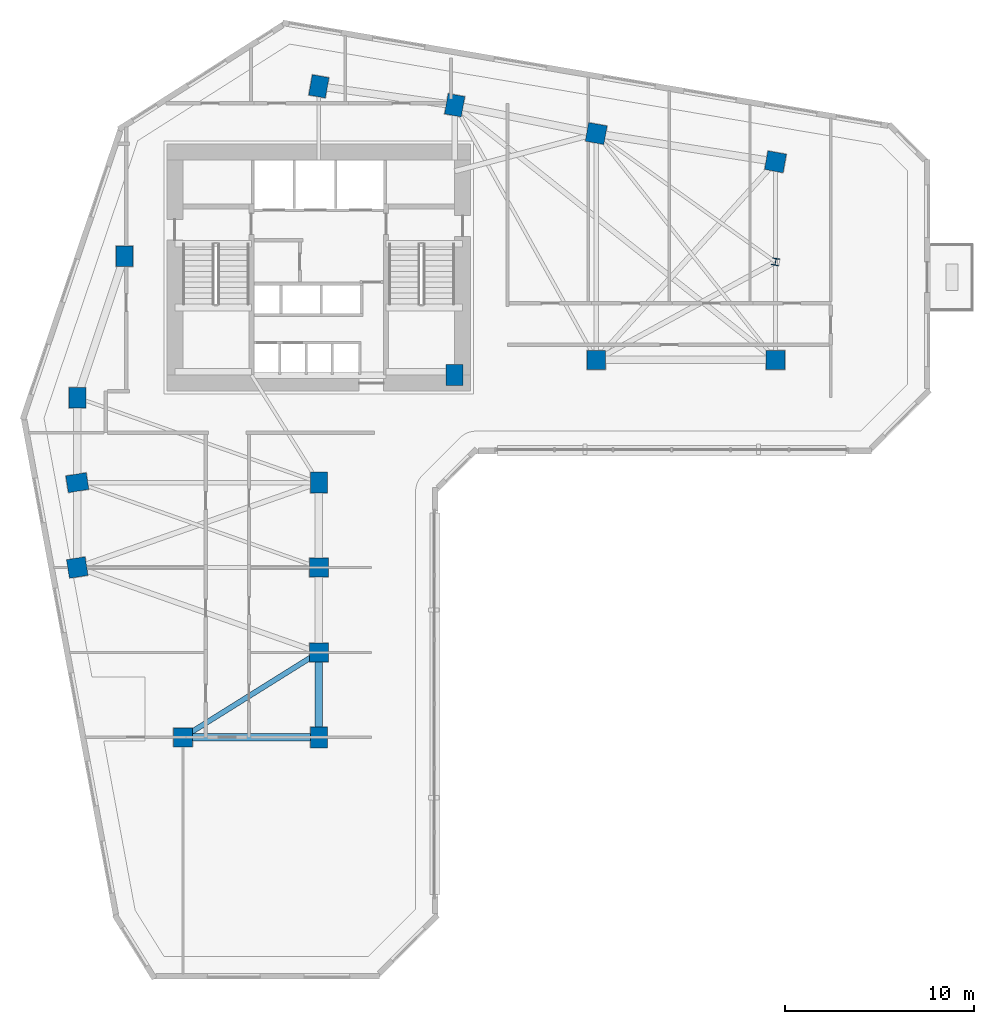
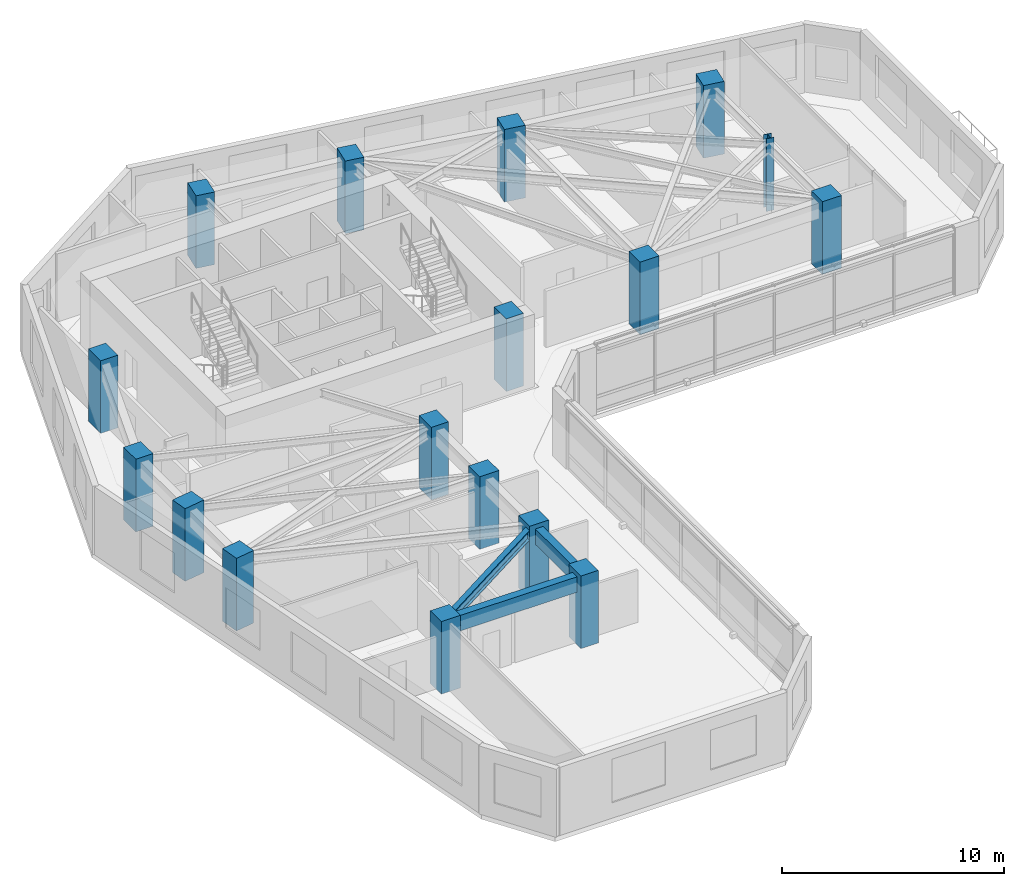
# One storey, part 1 of 11: 17 columns, 3 beams.
"""IFC4 building model written with IfcOpenShell, lengths in metres."""

from ifc_helpers import new_model, si_unit, direction, frame, origin, origin_2d, place, context, subcontext, project, spatial, rectangle, i_section, extrude, source, transform, mapped, material, material_profile, profile_set, type_object, element, save


model = new_model("IFC4")

# Units and contexts
model_context = context("Model", 3, precision=1e-05, world=origin(), true_north=direction((0.0, 1.0)))
body_context = subcontext(model_context, "Body", "Model", "MODEL_VIEW")
ifc_project = project(units=[si_unit("LENGTHUNIT", "METRE"), si_unit("AREAUNIT", "SQUARE_METRE"), si_unit("VOLUMEUNIT", "CUBIC_METRE"), si_unit("PLANEANGLEUNIT", "RADIAN"), si_unit("MASSUNIT", "GRAM", prefix="KILO")], contexts=[model_context])

# Site, building, storey
site_placement = place(None, origin())
site = spatial("IfcSite", under=ifc_project, at=site_placement, CompositionType="ELEMENT")
building_placement = place(site_placement, origin())
building = spatial("IfcBuilding", under=site, at=building_placement, Name="Calvemar Wedge Station Tower", CompositionType="ELEMENT")
storey_placement = place(building_placement, frame((0.0, 0.0, 75.0)))
storey = spatial("IfcBuildingStorey", under=building, at=storey_placement, Name="L18", CompositionType="ELEMENT", Elevation=75.0)

# Columns
ifc_material_1 = material(Name="Concrete C70", Category="concrete")
ifc_material_profile_1 = material_profile(ifc_material_1, rectangle(XDim=0.89990234375, YDim=1.10009765625, at=origin_2d()), Name="RC1100x900")
ifc_profile_set_1 = profile_set([ifc_material_profile_1], Name="Concrete C70")
column_type_1 = type_object("IfcColumnType", Name="COL-C3-1100x900", PredefinedType="COLUMN", material=ifc_profile_set_1)
shared_shape_1 = source(origin(), body_context, "Body", "SweptSolid", [
    extrude(rectangle(XDim=0.89990234375, YDim=1.10009765625, at=origin_2d()), origin(), (0.0, 0.0, 1.0), 4.0),
])
for number, where, z_axis, x_axis, name in (
    (1, (11.0, 33.0, 0.0), (0.0, 0.0, 1.0), (1.0, 0.0, 0.0), "Storey L18 Column T-NW1"),
    (2, (13.5, 40.5, 0.0), (0.0, 0.0, 1.0), (1.0, 0.0, 0.0), "Storey L18 Column T-NW2"),
    (3, (23.800048828125, 49.5, 0.0), (0.0, 0.0, 1.0), (0.984195607969, -0.17708474032, 0.0), "Storey L18 Column T-N1"),
    (4, (31.0, 48.5, 0.0), (0.0, 0.0, 1.0), (0.984195607969, -0.17708474032, 0.0), "Storey L18 Column T-N2"),
    (5, (31.0, 34.199951171875, 0.0), (0.0, 0.0, 1.0), (1.0, 0.0, 0.0), "Storey L18 Column T-NL1"),
    (6, (11.0, 28.5, 0.0), (0.0, 0.0, 1.0), (0.158158067254, -0.987413806751, 0.0), "Storey L18 Column T-SW1"),
    (7, (23.800048828125, 28.5, 0.0), (0.0, 0.0, 1.0), (1.0, 0.0, 0.0), "Storey L18 Column T-SE1"),
    (8, (23.800048828125, 15.0, 0.0), (0.0, 0.0, 1.0), (1.0, 0.0, 0.0), "Storey L18 Column T-SE4"),
):
    element("IfcColumn", number, at=place(storey_placement, frame(where, z_axis=z_axis, x_axis=x_axis)), inside=storey, type_object=column_type_1, Name=name, PredefinedType="COLUMN", context=body_context, shape_type="MappedRepresentation", body=[
        mapped(shared_shape_1, transform((0.0, 0.0, 0.0), scale=1.0)),
    ])
ifc_material_2 = material(Name="Concrete C60", Category="concrete")
ifc_material_profile_2 = material_profile(ifc_material_2, rectangle(XDim=1.0, YDim=1.0, at=origin_2d()), Name="RC1000x1000")
ifc_profile_set_2 = profile_set([ifc_material_profile_2], Name="Concrete C60")
column_type_2 = type_object("IfcColumnType", Name="COL-C4-1000", PredefinedType="COLUMN", material=ifc_profile_set_2)
shared_shape_2 = source(origin(), body_context, "Body", "SweptSolid", [
    extrude(rectangle(XDim=1.0, YDim=1.0, at=origin_2d()), origin(), (0.0, 0.0, 1.0), 4.0),
])
for number, where, z_axis, x_axis, name in (
    (9, (38.5, 47.0, 0.0), (0.0, 0.0, 1.0), (0.984195607969, -0.17708474032, 0.0), "Storey L18 Column T-NU3"),
    (10, (48.0, 45.5, 0.0), (0.0, 0.0, 1.0), (0.984195607969, -0.17708474032, 0.0), "Storey L18 Column T-NU4"),
    (11, (38.5, 35.0, 0.0), (0.0, 0.0, 1.0), (1.0, 0.0, 0.0), "Storey L18 Column T-NL2"),
    (12, (48.0, 35.0, 0.0), (0.0, 0.0, 1.0), (1.0, 0.0, 0.0), "Storey L18 Column T-NL3"),
    (13, (11.0, 24.0, 0.0), (0.0, 0.0, 1.0), (0.158158067254, -0.987413806751, 0.0), "Storey L18 Column T-SW2"),
    (14, (23.800048828125, 24.0, 0.0), (0.0, 0.0, 1.0), (1.0, 0.0, 0.0), "Storey L18 Column T-SE2"),
    (15, (23.800048828125, 19.5, 0.0), (0.0, 0.0, 1.0), (1.0, 0.0, 0.0), "Storey L18 Column T-SE3"),
    (16, (16.60009765625, 15.0, 0.0), (0.0, 0.0, 1.0), (1.0, 0.0, 0.0), "Storey L18 Column T-SM1"),
):
    element("IfcColumn", number, at=place(storey_placement, frame(where, z_axis=z_axis, x_axis=x_axis)), inside=storey, type_object=column_type_2, Name=name, PredefinedType="COLUMN", context=body_context, shape_type="MappedRepresentation", body=[
        mapped(shared_shape_2, transform((0.0, 0.0, 0.0), scale=1.0)),
    ])
ifc_material_3 = material(Name="Structural steel ASTM A572 Grade 50", Category="steel")
ifc_material_profile_3 = material_profile(ifc_material_3, i_section(OverallWidth=0.3740234375, OverallDepth=0.3720703125, WebThickness=0.016357421875, FlangeThickness=0.026123046875, FilletRadius=0.014892578125, at=origin_2d()), Name="W360x196")
ifc_profile_set_3 = profile_set([ifc_material_profile_3], Name="Structural steel ASTM A572 Grade 50")
column_type_3 = type_object("IfcColumnType", Name="COL-STL-W360", PredefinedType="COLUMN", material=ifc_profile_set_3)
shared_shape_3 = source(origin(), body_context, "Body", "SweptSolid", [
    extrude(i_section(OverallWidth=0.3740234375, OverallDepth=0.3720703125, WebThickness=0.016357421875, FlangeThickness=0.026123046875, FilletRadius=0.014892578125, at=origin_2d()), origin(), (0.0, 0.0, 1.0), 4.0),
])
column_placement = place(storey_placement, frame((48.0, 40.199951171875, 0.0), z_axis=(0.0, 0.0, 1.0), x_axis=(0.984195607969, -0.17708474032, 0.0)))
element("IfcColumn", 17, at=column_placement, inside=storey, type_object=column_type_3, Name="Storey L18 Column T-NTIP-A", PredefinedType="COLUMN", context=body_context, shape_type="MappedRepresentation", body=[
    mapped(shared_shape_3, transform((0.0, 0.0, 0.0), scale=1.0)),
])

# Beams
ifc_material_profile_4 = material_profile(ifc_material_2, rectangle(XDim=0.39990234375, YDim=0.85009765625, at=origin_2d()), Name="RC400x850")
ifc_profile_set_4 = profile_set([ifc_material_profile_4], Name="Concrete C60")
beam_type_1 = type_object("IfcBeamType", Name="BM-SP1-850", PredefinedType="SPANDREL", material=ifc_profile_set_4)
shared_shape_4 = source(origin(), body_context, "Body", "SweptSolid", [
    extrude(rectangle(XDim=0.39990234375, YDim=0.85009765625, at=origin_2d()), origin(), (0.0, 0.0, 1.0), 4.5),
])
beam_1_placement = place(storey_placement, frame((23.800048828125, 19.5, 3.324951171875), z_axis=(0.0, -1.0, 0.0), x_axis=(1.0, 0.0, 0.0)))
element("IfcBeam", 18, at=beam_1_placement, inside=storey, type_object=beam_type_1, Name="Storey L18 Spandrel T-SE3-T-SE4", PredefinedType="SPANDREL", context=body_context, shape_type="MappedRepresentation", body=[
    mapped(shared_shape_4, transform((0.0, 0.0, 0.0), scale=1.0)),
])
shared_shape_5 = source(origin(), body_context, "Body", "SweptSolid", [
    extrude(rectangle(XDim=0.39990234375, YDim=0.85009765625, at=origin_2d()), origin(), (0.0, 0.0, 1.0), 7.199951171875),
])
beam_2_placement = place(storey_placement, frame((16.60009765625, 15.0, 3.324951171875), z_axis=(1.0, 0.0, 0.0), x_axis=(0.0, 1.0, 0.0)))
element("IfcBeam", 19, at=beam_2_placement, inside=storey, type_object=beam_type_1, Name="Storey L18 Spandrel T-SM1-T-SE4", PredefinedType="SPANDREL", context=body_context, shape_type="MappedRepresentation", body=[
    mapped(shared_shape_5, transform((0.0, 0.0, 0.0), scale=1.0)),
])
ifc_material_profile_5 = material_profile(ifc_material_3, i_section(OverallWidth=0.279052734375, OverallDepth=0.553955078125, WebThickness=0.017578125, FlangeThickness=0.029541015625, FilletRadius=0.014892578125, at=origin_2d()), Name="W530x196")
ifc_profile_set_5 = profile_set([ifc_material_profile_5], Name="Structural steel ASTM A572 Grade 50")
beam_type_2 = type_object("IfcBeamType", Name="BM-SB3-W530H", PredefinedType="BEAM", material=ifc_profile_set_5)
shared_shape_6 = source(origin(), body_context, "Body", "SweptSolid", [
    extrude(i_section(OverallWidth=0.279052734375, OverallDepth=0.553955078125, WebThickness=0.017578125, FlangeThickness=0.029541015625, FilletRadius=0.014892578125, at=origin_2d()), origin(), (0.0, 0.0, 1.0), 8.490478515625),
])
beam_3_placement = place(storey_placement, frame((23.800048828125, 19.5, 3.472900390625), z_axis=(-0.847996688584, -0.530001524668, 0.0), x_axis=(0.530001524668, -0.847996688584, 0.0)))
element("IfcBeam", 20, at=beam_3_placement, inside=storey, type_object=beam_type_2, Name="Storey L18 Floor Beam T-SE3-T-SM1", PredefinedType="BEAM", context=body_context, shape_type="MappedRepresentation", body=[
    mapped(shared_shape_6, transform((0.0, 0.0, 0.0), scale=1.0)),
])

save(model, "model.ifc")
